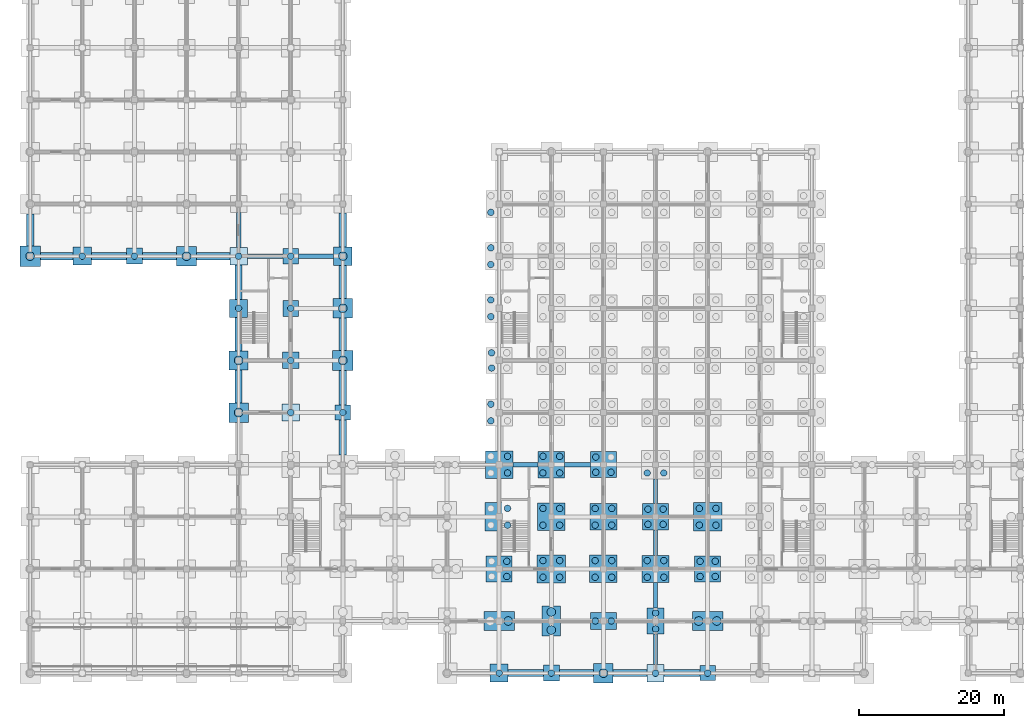
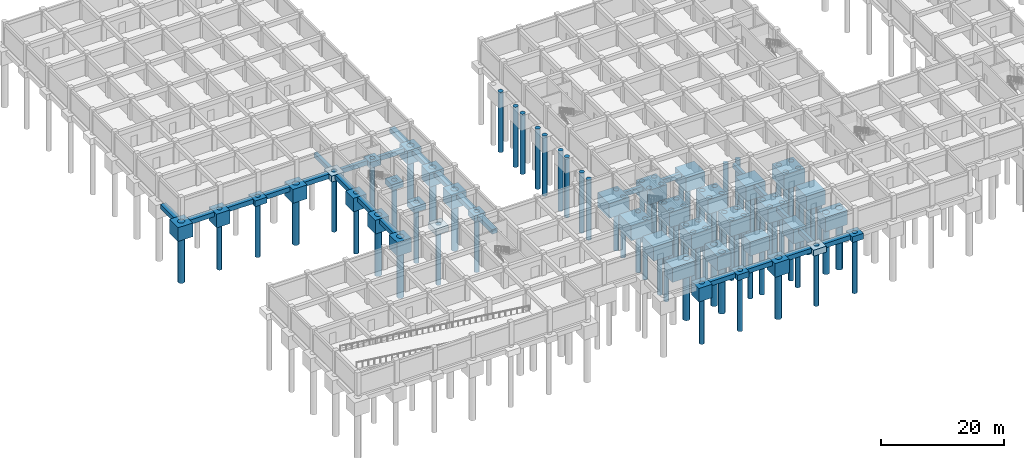
# One storey, part 2 of 25: 86 piles, 65 footings.
"""IFC4 building model written with IfcOpenShell, lengths in metres."""

import ifcopenshell
import ifcopenshell.guid

model = None  # the IFC model being written
_history = None  # IfcOwnerHistory: only IFC2X3 demands one
_inside = {}  # id of a spatial element -> (the spatial element, [elements in it])
_under = {}  # id of a project, library or spatial element -> (it, [spatial elements below it])
_declared = {}  # id of a project -> (the project, [libraries it declares])
_typed = {}  # id of a type object -> (the type object, [elements of that type])
_made_of = {}  # id of a material, layer set ... -> (it, [elements and type objects made of it])


def new_model(schema):
    """Start an empty IFC model of exactly this schema.

    Asked for "IFC4X3", IfcOpenShell would pick the latest addendum, in which some entities
    have other attributes; the version numbers below select the first issue.
    IFC2X3 requires an IfcOwnerHistory on every rooted entity: one is made here for all.
    """
    global model, _history
    if schema == "IFC4X3":
        model = ifcopenshell.file(schema_version=(4, 3, 0, 0))
    else:
        model = ifcopenshell.file(schema=schema)
    _inside.clear()
    _under.clear()
    _declared.clear()
    _typed.clear()
    _made_of.clear()
    _history = None
    if model.schema == "IFC2X3":
        org = make("IfcOrganization", Name="unknown")
        user = make(
            "IfcPersonAndOrganization",
            ThePerson=make("IfcPerson", FamilyName="unknown"),
            TheOrganization=org,
        )
        app = make(
            "IfcApplication",
            ApplicationDeveloper=org,
            Version="unknown",
            ApplicationFullName="unknown",
            ApplicationIdentifier="unknown",
        )
        _history = make(
            "IfcOwnerHistory",
            OwningUser=user,
            OwningApplication=app,
            ChangeAction="ADDED",
            CreationDate=0,
        )
    return model


def make(cls, **values):
    """One entity of the class cls with the attributes given. An attribute that is None is left unset."""
    return model.create_entity(
        cls, **{name: value for name, value in values.items() if value is not None}
    )


def rooted(cls, **values):
    """An entity with a GlobalId (a new one), such as an element, a storey or a relation."""
    return make(cls, GlobalId=ifcopenshell.guid.new(), OwnerHistory=_history, **values)


def si_unit(unit_type, name, prefix=None):
    """IfcSIUnit, for example si_unit("LENGTHUNIT", "METRE", prefix="MILLI")."""
    return make("IfcSIUnit", UnitType=unit_type, Prefix=prefix, Name=name)


def assignment(units):
    """IfcUnitAssignment: the units of a project."""
    return None if units is None else make("IfcUnitAssignment", Units=units)


def point(xyz):
    """IfcCartesianPoint."""
    return None if xyz is None else make("IfcCartesianPoint", Coordinates=xyz)


def direction(xyz):
    """IfcDirection."""
    return None if xyz is None else make("IfcDirection", DirectionRatios=xyz)


def frame(location, z_axis=None, x_axis=None):
    """IfcAxis2Placement3D, a coordinate frame: its origin and axes. An axis left out is left unset."""
    return make(
        "IfcAxis2Placement3D",
        Location=point(location),
        Axis=direction(z_axis),
        RefDirection=direction(x_axis),
    )


def frame_2d(location, x_axis=None):
    """IfcAxis2Placement2D, a coordinate frame in the plane: its origin and x axis."""
    return make(
        "IfcAxis2Placement2D", Location=point(location), RefDirection=direction(x_axis)
    )


def origin():
    """The frame at (0, 0, 0) with its axes left unset."""
    return frame((0.0, 0.0, 0.0))


def origin_2d():
    """The frame at (0, 0) in the plane with its x axis left unset."""
    return frame_2d((0.0, 0.0))


def place(relative_to, where):
    """IfcLocalPlacement: puts the frame where relative to a parent placement (None: the world)."""
    return make(
        "IfcLocalPlacement", PlacementRelTo=relative_to, RelativePlacement=where
    )


def context(
    kind, dimensions, precision=None, world=None, true_north=None, identifier=None
):
    """IfcGeometricRepresentationContext, for example the 3D "Model" context."""
    return make(
        "IfcGeometricRepresentationContext",
        ContextIdentifier=identifier,
        ContextType=kind,
        CoordinateSpaceDimension=dimensions,
        Precision=precision,
        WorldCoordinateSystem=world,
        TrueNorth=true_north,
    )


def subcontext(parent, identifier, kind, view, scale=None):
    """IfcGeometricRepresentationSubContext, for example "Body" below "Model"."""
    return make(
        "IfcGeometricRepresentationSubContext",
        ContextIdentifier=identifier,
        ContextType=kind,
        ParentContext=parent,
        TargetScale=scale,
        TargetView=view,
    )


def project(units=None, contexts=None):
    """IfcProject with its units and contexts."""
    return rooted(
        "IfcProject",
        Name="project",
        RepresentationContexts=contexts,
        UnitsInContext=assignment(units),
    )


def spatial(cls, under=None, at=None, **own):
    """A site, building, storey or space (cls), placed at a placement, below another one or the project."""
    s = rooted(cls, ObjectPlacement=at, **own)
    if under is not None:
        _under.setdefault(under.id(), (under, []))[1].append(s)
    return s


def profile(cls, at=None, kind="AREA", **sizes):
    """A parametric profile (cls). Its sizes go by their IFC names, for example OverallWidth=200.0."""
    return make(cls, ProfileType=kind, Position=at, **sizes)


def rectangle(**sizes):
    """IfcRectangleProfileDef."""
    return profile("IfcRectangleProfileDef", **sizes)


def circle(**sizes):
    """IfcCircleProfileDef."""
    return profile("IfcCircleProfileDef", **sizes)


def extrude(swept, where, along, depth):
    """IfcExtrudedAreaSolid: the profile swept, set in the frame where, extruded along a direction by depth."""
    return make(
        "IfcExtrudedAreaSolid",
        SweptArea=swept,
        Position=where,
        ExtrudedDirection=direction(along),
        Depth=depth,
    )


def shape(context_of_items, identifier, shape_type, items):
    """IfcShapeRepresentation: the items that make up one representation, for example the "Body"."""
    return make(
        "IfcShapeRepresentation",
        ContextOfItems=context_of_items,
        RepresentationIdentifier=identifier,
        RepresentationType=shape_type,
        Items=items,
    )


def material(Name=None, Category=None):
    """IfcMaterial."""
    return make("IfcMaterial", Name=Name, Category=Category)


def material_profile(
    of_material, cross_section, Name=None, Category=None, Priority=None
):
    """IfcMaterialProfile: a cross section and its material."""
    return make(
        "IfcMaterialProfile",
        Name=Name,
        Material=of_material,
        Profile=cross_section,
        Priority=Priority,
        Category=Category,
    )


def profile_set(profiles, Name=None, composite=None):
    """IfcMaterialProfileSet."""
    return make(
        "IfcMaterialProfileSet",
        Name=Name,
        MaterialProfiles=profiles,
        CompositeProfile=composite,
    )


def made_of(thing, what):
    """Note that an element or type object is made of a material, layer set ...; save() writes the relation."""
    if what is not None:
        _made_of.setdefault(what.id(), (what, []))[1].append(thing)
    return thing


def type_object(cls, material=None, **own):
    """A type object (cls), such as IfcWallType, which elements share."""
    return made_of(rooted(cls, **own), material)


def element(
    cls,
    number,
    at=None,
    inside=None,
    cuts=None,
    type_object=None,
    material=None,
    context=None,
    identifier="Body",
    shape_type=None,
    held_by="IfcProductDefinitionShape",
    body=None,
    shapes=None,
    **own,
):
    """One element of the class cls, such as IfcWall. Its Tag is "e" and its number.

    at: its placement. inside: the storey or other place that contains it. cuts: it is an
    opening in that element (IfcRelVoidsElement). A single representation is given by context,
    identifier, shape_type and body (its items); several are given by shapes. held_by: the class
    of the entity that holds the representations. save() writes the other relations.
    """
    e = rooted(cls, Tag="e%d" % number, ObjectPlacement=at, **own)
    if body is not None:
        shapes = [shape(context, identifier, shape_type, body)]
    if shapes is not None:
        e.Representation = make(held_by, Representations=shapes)
    if inside is not None:
        _inside.setdefault(inside.id(), (inside, []))[1].append(e)
    if cuts is not None:
        rooted(
            "IfcRelVoidsElement", RelatingBuildingElement=cuts, RelatedOpeningElement=e
        )
    if type_object is not None:
        _typed.setdefault(type_object.id(), (type_object, []))[1].append(e)
    return made_of(e, material)


def aggregate(whole, parts):
    """IfcRelAggregates: a whole, such as a stair, and the parts it consists of."""
    return rooted("IfcRelAggregates", RelatingObject=whole, RelatedObjects=parts)


def save(model, path):
    """Write the relations noted so far, then the file.

    IfcRelAggregates (storeys below a building ...), IfcRelContainedInSpatialStructure (elements
    in a storey), IfcRelDefinesByType, IfcRelAssociatesMaterial and IfcRelDeclares: one each for
    every whole, place, type object, material and project.
    """
    for whole, parts in _under.values():
        aggregate(whole, parts)
    for where, things in _inside.values():
        rooted(
            "IfcRelContainedInSpatialStructure",
            RelatedElements=things,
            RelatingStructure=where,
        )
    for kind, things in _typed.values():
        rooted("IfcRelDefinesByType", RelatedObjects=things, RelatingType=kind)
    for what, things in _made_of.values():
        rooted("IfcRelAssociatesMaterial", RelatedObjects=things, RelatingMaterial=what)
    for by, libraries in _declared.values():
        rooted("IfcRelDeclares", RelatingContext=by, RelatedDefinitions=libraries)
    model.write(path)


model = new_model("IFC4")

# Units and contexts
model_context = context("Model", 3, precision=1e-05, world=origin(), true_north=direction((0.0, 1.0)))
body_context = subcontext(model_context, "Body", "Model", "MODEL_VIEW")
ifc_project = project(units=[si_unit("LENGTHUNIT", "METRE"), si_unit("AREAUNIT", "SQUARE_METRE"), si_unit("VOLUMEUNIT", "CUBIC_METRE"), si_unit("PLANEANGLEUNIT", "RADIAN"), si_unit("MASSUNIT", "GRAM", prefix="KILO")], contexts=[model_context])

# Site, building, storey
site_placement = place(None, origin())
site = spatial("IfcSite", under=ifc_project, at=site_placement, CompositionType="ELEMENT")
building_placement = place(site_placement, origin())
building = spatial("IfcBuilding", under=site, at=building_placement, Name="Cendaluz Park School", CompositionType="ELEMENT")
storey_placement = place(building_placement, frame((0.0, 0.0, -4.5)))
storey = spatial("IfcBuildingStorey", under=building, at=storey_placement, Name="B1", CompositionType="ELEMENT", Elevation=-4.5)

# Piles
ifc_material = material(Name="Concrete C40/50", Category="concrete")
ifc_material_profile_1 = material_profile(ifc_material, circle(Radius=0.449951171875, at=origin_2d()), Name="BP D900", Category="concrete")
ifc_profile_set_1 = profile_set([ifc_material_profile_1], Name="Concrete C40/50")
pile_type_1 = type_object("IfcPileType", Name="BP-01", PredefinedType="BORED", material=ifc_profile_set_1)
for number, where, z_axis, x_axis, name in (
    (1, (7.199951171875, 57.60009765625, -0.5), (0.0, 0.0, -1.0), (1.0, 0.0, 0.0), "PL-B1-020"),
    (2, (14.39990234375, 57.60009765625, -0.5), (0.0, 0.0, -1.0), (1.0, 0.0, 0.0), "PL-B1-034"),
    (3, (28.800048828125, 50.39990234375, -0.5), (0.0, 0.0, -1.0), (1.0, 0.0, 0.0), "PL-B1-064"),
    (4, (28.800048828125, 57.60009765625, -0.5), (0.0, 0.0, -1.0), (1.0, 0.0, 0.0), "PL-B1-065"),
    (5, (36.0, 36.0, -0.5), (0.0, 0.0, -1.0), (1.0, 0.0, 0.0), "PL-B1-083"),
    (6, (36.0, 43.199951171875, -0.5), (0.0, 0.0, -1.0), (1.0, 0.0, 0.0), "PL-B1-084"),
    (7, (36.0, 50.39990234375, -0.5), (0.0, 0.0, -1.0), (1.0, 0.0, 0.0), "PL-B1-085"),
    (8, (36.0, 57.60009765625, -0.5), (0.0, 0.0, -1.0), (1.0, 0.0, 0.0), "PL-B1-086"),
    (9, (43.199951171875, 36.0, -0.5), (0.0, 0.0, -1.0), (1.0, 0.0, 0.0), "PL-B1-104"),
    (10, (64.800048828125, 0.0, -0.5), (0.0, 0.0, -1.0), (1.0, 0.0, 0.0), "PL-B1-133"),
    (11, (65.85009765625, 13.35009765625, -0.5), (0.0, 0.0, -1.0), (1.0, 0.0, 0.0), "PL-B1-137"),
    (12, (65.85009765625, 15.449951171875, -0.5), (0.0, 0.0, -1.0), (1.0, 0.0, 0.0), "PL-B1-139"),
    (13, (65.949951171875, 20.449951171875, -0.5), (0.0, 0.0, -1.0), (1.0, 0.0, 0.0), "PL-B1-141"),
    (14, (65.949951171875, 22.75, -0.5), (0.0, 0.0, -1.0), (1.0, 0.0, 0.0), "PL-B1-143"),
    (15, (65.949951171875, 27.64990234375, -0.5), (0.0, 0.0, -1.0), (1.0, 0.0, 0.0), "PL-B1-145"),
    (16, (65.949951171875, 29.949951171875, -0.5), (0.0, 0.0, -1.0), (1.0, 0.0, 0.0), "PL-B1-147"),
    (17, (63.64990234375, 34.85009765625, -0.5), (0.0, 0.0, -1.0), (1.0, 0.0, 0.0), "PL-B1-148"),
    (18, (63.64990234375, 37.14990234375, -0.5), (0.0, 0.0, -1.0), (1.0, 0.0, 0.0), "PL-B1-150"),
    (19, (63.75, 42.14990234375, -0.5), (0.0, 0.0, -1.0), (1.0, 0.0, 0.0), "PL-B1-152"),
    (20, (63.75, 44.25, -0.5), (0.0, 0.0, -1.0), (1.0, 0.0, 0.0), "PL-B1-154"),
    (21, (63.64990234375, 49.25, -0.5), (0.0, 0.0, -1.0), (1.0, 0.0, 0.0), "PL-B1-156"),
    (22, (63.64990234375, 51.550048828125, -0.5), (0.0, 0.0, -1.0), (1.0, 0.0, 0.0), "PL-B1-158"),
    (23, (63.64990234375, 56.449951171875, -0.5), (0.0, 0.0, -1.0), (1.0, 0.0, 0.0), "PL-B1-160"),
    (24, (63.64990234375, 58.75, -0.5), (0.0, 0.0, -1.0), (1.0, 0.0, 0.0), "PL-B1-162"),
    (25, (63.64990234375, 63.64990234375, -0.5), (0.0, 0.0, -1.0), (1.0, 0.0, 0.0), "PL-B1-164"),
    (26, (72.0, 0.0, -0.5), (0.0, 0.0, -1.0), (1.0, 0.0, 0.0), "PL-B1-169"),
    (27, (70.85009765625, 13.25, -0.5), (0.0, 0.0, -1.0), (1.0, 0.0, 0.0), "PL-B1-172"),
    (28, (73.14990234375, 13.25, -0.5), (0.0, 0.0, -1.0), (1.0, 0.0, 0.0), "PL-B1-173"),
    (29, (70.85009765625, 15.550048828125, -0.5), (0.0, 0.0, -1.0), (1.0, 0.0, 0.0), "PL-B1-174"),
    (30, (73.14990234375, 15.550048828125, -0.5), (0.0, 0.0, -1.0), (1.0, 0.0, 0.0), "PL-B1-175"),
    (31, (70.85009765625, 20.449951171875, -0.5), (0.0, 0.0, -1.0), (1.0, 0.0, 0.0), "PL-B1-176"),
    (32, (73.14990234375, 20.449951171875, -0.5), (0.0, 0.0, -1.0), (1.0, 0.0, 0.0), "PL-B1-177"),
    (33, (70.85009765625, 22.75, -0.5), (0.0, 0.0, -1.0), (1.0, 0.0, 0.0), "PL-B1-178"),
    (34, (73.14990234375, 22.75, -0.5), (0.0, 0.0, -1.0), (1.0, 0.0, 0.0), "PL-B1-179"),
    (35, (70.85009765625, 27.64990234375, -0.5), (0.0, 0.0, -1.0), (1.0, 0.0, 0.0), "PL-B1-180"),
    (36, (73.14990234375, 27.64990234375, -0.5), (0.0, 0.0, -1.0), (1.0, 0.0, 0.0), "PL-B1-181"),
    (37, (70.85009765625, 29.949951171875, -0.5), (0.0, 0.0, -1.0), (1.0, 0.0, 0.0), "PL-B1-182"),
    (38, (73.14990234375, 29.949951171875, -0.5), (0.0, 0.0, -1.0), (1.0, 0.0, 0.0), "PL-B1-183"),
    (39, (78.10009765625, 7.199951171875, -0.5), (0.0, 0.0, -1.0), (1.0, 0.0, 0.0), "PL-B1-206"),
    (40, (80.300048828125, 7.199951171875, -0.5), (0.0, 0.0, -1.0), (1.0, 0.0, 0.0), "PL-B1-207"),
    (41, (78.050048828125, 13.25, -0.5), (0.0, 0.0, -1.0), (1.0, 0.0, 0.0), "PL-B1-208"),
    (42, (80.35009765625, 13.25, -0.5), (0.0, 0.0, -1.0), (1.0, 0.0, 0.0), "PL-B1-209"),
    (43, (78.050048828125, 15.550048828125, -0.5), (0.0, 0.0, -1.0), (1.0, 0.0, 0.0), "PL-B1-210"),
    (44, (80.35009765625, 15.550048828125, -0.5), (0.0, 0.0, -1.0), (1.0, 0.0, 0.0), "PL-B1-211"),
    (45, (78.050048828125, 20.449951171875, -0.5), (0.0, 0.0, -1.0), (1.0, 0.0, 0.0), "PL-B1-212"),
    (46, (80.35009765625, 20.449951171875, -0.5), (0.0, 0.0, -1.0), (1.0, 0.0, 0.0), "PL-B1-213"),
    (47, (78.050048828125, 22.75, -0.5), (0.0, 0.0, -1.0), (1.0, 0.0, 0.0), "PL-B1-214"),
    (48, (80.35009765625, 22.75, -0.5), (0.0, 0.0, -1.0), (1.0, 0.0, 0.0), "PL-B1-215"),
    (49, (78.14990234375, 27.75, -0.5), (0.0, 0.0, -1.0), (1.0, 0.0, 0.0), "PL-B1-216"),
    (50, (80.25, 27.75, -0.5), (0.0, 0.0, -1.0), (1.0, 0.0, 0.0), "PL-B1-217"),
    (51, (78.14990234375, 29.85009765625, -0.5), (0.0, 0.0, -1.0), (1.0, 0.0, 0.0), "PL-B1-218"),
    (52, (86.39990234375, 0.0, -0.5), (0.0, 0.0, -1.0), (1.0, 0.0, 0.0), "PL-B1-241"),
    (53, (86.39990234375, 6.10009765625, -0.5), (0.0, 0.0, -1.0), (1.0, 0.0, 0.0), "PL-B1-242"),
    (54, (86.39990234375, 8.300048828125, -0.5), (0.0, 0.0, -1.0), (1.0, 0.0, 0.0), "PL-B1-243"),
    (55, (85.25, 13.25, -0.5), (0.0, 0.0, -1.0), (1.0, 0.0, 0.0), "PL-B1-244"),
    (56, (87.550048828125, 13.25, -0.5), (0.0, 0.0, -1.0), (1.0, 0.0, 0.0), "PL-B1-245"),
    (57, (85.25, 15.550048828125, -0.5), (0.0, 0.0, -1.0), (1.0, 0.0, 0.0), "PL-B1-246"),
    (58, (87.550048828125, 15.550048828125, -0.5), (0.0, 0.0, -1.0), (1.0, 0.0, 0.0), "PL-B1-247"),
    (59, (85.35009765625, 20.550048828125, -0.5), (0.0, 0.0, -1.0), (1.0, 0.0, 0.0), "PL-B1-248"),
    (60, (87.449951171875, 20.550048828125, -0.5), (0.0, 0.0, -1.0), (1.0, 0.0, 0.0), "PL-B1-249"),
    (61, (85.35009765625, 22.64990234375, -0.5), (0.0, 0.0, -1.0), (1.0, 0.0, 0.0), "PL-B1-250"),
    (62, (87.449951171875, 22.64990234375, -0.5), (0.0, 0.0, -1.0), (1.0, 0.0, 0.0), "PL-B1-251"),
    (63, (85.25, 27.64990234375, -0.5), (0.0, 0.0, -1.0), (1.0, 0.0, 0.0), "PL-B1-252"),
    (64, (87.550048828125, 27.64990234375, -0.5), (0.0, 0.0, -1.0), (1.0, 0.0, 0.0), "PL-B1-253"),
    (65, (93.60009765625, 0.0, -0.5), (0.0, 0.0, -1.0), (1.0, 0.0, 0.0), "PL-B1-277"),
    (66, (92.550048828125, 13.35009765625, -0.5), (0.0, 0.0, -1.0), (1.0, 0.0, 0.0), "PL-B1-280"),
    (67, (94.64990234375, 13.35009765625, -0.5), (0.0, 0.0, -1.0), (1.0, 0.0, 0.0), "PL-B1-281"),
    (68, (92.550048828125, 15.449951171875, -0.5), (0.0, 0.0, -1.0), (1.0, 0.0, 0.0), "PL-B1-282"),
    (69, (94.64990234375, 15.449951171875, -0.5), (0.0, 0.0, -1.0), (1.0, 0.0, 0.0), "PL-B1-283"),
    (70, (92.449951171875, 20.449951171875, -0.5), (0.0, 0.0, -1.0), (1.0, 0.0, 0.0), "PL-B1-284"),
    (71, (94.75, 20.449951171875, -0.5), (0.0, 0.0, -1.0), (1.0, 0.0, 0.0), "PL-B1-285"),
    (72, (92.449951171875, 22.75, -0.5), (0.0, 0.0, -1.0), (1.0, 0.0, 0.0), "PL-B1-286"),
    (73, (94.75, 22.75, -0.5), (0.0, 0.0, -1.0), (1.0, 0.0, 0.0), "PL-B1-287"),
):
    element("IfcPile", number, at=place(storey_placement, frame(where, z_axis=z_axis, x_axis=x_axis)), inside=storey, type_object=pile_type_1, Name=name, PredefinedType="BORED", context=body_context, shape_type="SweptSolid", body=[
        extrude(circle(Radius=0.449951171875, at=origin_2d()), origin(), (0.0, 0.0, 1.0), 12.0),
    ])
ifc_material_profile_2 = material_profile(ifc_material, circle(Radius=0.60009765625, at=origin_2d()), Name="BP D1200", Category="concrete")
ifc_profile_set_2 = profile_set([ifc_material_profile_2], Name="Concrete C40/50")
pile_type_2 = type_object("IfcPileType", Name="BP-02", PredefinedType="BORED", material=ifc_profile_set_2)
for number, where, z_axis, x_axis, name in (
    (74, (0.0, 57.60009765625, -0.5), (0.0, 0.0, -1.0), (1.0, 0.0, 0.0), "PL-B1-006"),
    (75, (21.60009765625, 57.60009765625, -0.5), (0.0, 0.0, -1.0), (1.0, 0.0, 0.0), "PL-B1-048"),
    (76, (28.800048828125, 36.0, -0.5), (0.0, 0.0, -1.0), (1.0, 0.0, 0.0), "PL-B1-062"),
    (77, (28.800048828125, 43.199951171875, -0.5), (0.0, 0.0, -1.0), (1.0, 0.0, 0.0), "PL-B1-063"),
    (78, (43.199951171875, 43.199951171875, -0.5), (0.0, 0.0, -1.0), (1.0, 0.0, 0.0), "PL-B1-105"),
    (79, (43.199951171875, 50.39990234375, -0.5), (0.0, 0.0, -1.0), (1.0, 0.0, 0.0), "PL-B1-106"),
    (80, (43.199951171875, 57.60009765625, -0.5), (0.0, 0.0, -1.0), (1.0, 0.0, 0.0), "PL-B1-107"),
    (81, (66.050048828125, 7.199951171875, -0.5), (0.0, 0.0, -1.0), (1.0, 0.0, 0.0), "PL-B1-135"),
    (82, (72.0, 5.949951171875, -0.5), (0.0, 0.0, -1.0), (1.0, 0.0, 0.0), "PL-B1-170"),
    (83, (72.0, 8.449951171875, -0.5), (0.0, 0.0, -1.0), (1.0, 0.0, 0.0), "PL-B1-171"),
    (84, (79.199951171875, 0.0, -0.5), (0.0, 0.0, -1.0), (1.0, 0.0, 0.0), "PL-B1-205"),
    (85, (92.35009765625, 7.199951171875, -0.5), (0.0, 0.0, -1.0), (1.0, 0.0, 0.0), "PL-B1-278"),
    (86, (94.85009765625, 7.199951171875, -0.5), (0.0, 0.0, -1.0), (1.0, 0.0, 0.0), "PL-B1-279"),
):
    element("IfcPile", number, at=place(storey_placement, frame(where, z_axis=z_axis, x_axis=x_axis)), inside=storey, type_object=pile_type_2, Name=name, PredefinedType="BORED", context=body_context, shape_type="SweptSolid", body=[
        extrude(circle(Radius=0.60009765625, at=origin_2d()), origin(), (0.0, 0.0, 1.0), 12.0),
    ])

# Footings
footing_type_1 = type_object("IfcFootingType", Name="FB-X345", PredefinedType="FOOTING_BEAM", material=ifc_material)
footing_1_placement = place(storey_placement, frame((68.425048828125, 28.800048828125, -1.39990234375), z_axis=(0.0, 0.0, 1.0), x_axis=(1.0, 0.0, 0.0)))
element("IfcFooting", 87, at=footing_1_placement, inside=storey, type_object=footing_type_1, Name="FT-B1-347", PredefinedType="FOOTING_BEAM", context=body_context, shape_type="SweptSolid", body=[
    extrude(rectangle(XDim=3.449951171875, YDim=0.60009765625, at=origin_2d()), origin(), (0.0, 0.0, 1.0), 0.89990234375),
])
footing_type_2 = type_object("IfcFootingType", Name="FB-X355", PredefinedType="FOOTING_BEAM", material=ifc_material)
footing_2_placement = place(storey_placement, frame((75.625, 28.800048828125, -1.39990234375), z_axis=(0.0, 0.0, 1.0), x_axis=(1.0, 0.0, 0.0)))
element("IfcFooting", 88, at=footing_2_placement, inside=storey, type_object=footing_type_2, Name="FT-B1-351", PredefinedType="FOOTING_BEAM", context=body_context, shape_type="SweptSolid", body=[
    extrude(rectangle(XDim=3.550048828125, YDim=0.60009765625, at=origin_2d()), origin(), (0.0, 0.0, 1.0), 0.89990234375),
])
footing_type_3 = type_object("IfcFootingType", Name="FB-X485", PredefinedType="FOOTING_BEAM", material=ifc_material)
footing_3_placement = place(storey_placement, frame((39.47509765625, 57.60009765625, -1.39990234375), z_axis=(0.0, 0.0, 1.0), x_axis=(1.0, 0.0, 0.0)))
element("IfcFooting", 89, at=footing_3_placement, inside=storey, type_object=footing_type_3, Name="FT-B1-337", PredefinedType="FOOTING_BEAM", context=body_context, shape_type="SweptSolid", body=[
    extrude(rectangle(XDim=4.85009765625, YDim=0.60009765625, at=origin_2d()), origin(), (0.0, 0.0, 1.0), 0.89990234375),
])
footing_type_4 = type_object("IfcFootingType", Name="FB-X495", PredefinedType="FOOTING_BEAM", material=ifc_material)
footing_4_placement = place(storey_placement, frame((32.47509765625, 57.60009765625, -1.39990234375), z_axis=(0.0, 0.0, 1.0), x_axis=(1.0, 0.0, 0.0)))
element("IfcFooting", 90, at=footing_4_placement, inside=storey, type_object=footing_type_4, Name="FT-B1-332", PredefinedType="FOOTING_BEAM", context=body_context, shape_type="SweptSolid", body=[
    extrude(rectangle(XDim=4.949951171875, YDim=0.60009765625, at=origin_2d()), origin(), (0.0, 0.0, 1.0), 0.89990234375),
])
footing_type_5 = type_object("IfcFootingType", Name="FB-Y345", PredefinedType="FOOTING_BEAM", material=ifc_material)
footing_5_placement = place(storey_placement, frame((86.39990234375, 25.125, -1.39990234375), z_axis=(0.0, 0.0, 1.0), x_axis=(1.0, 0.0, 0.0)))
element("IfcFooting", 91, at=footing_5_placement, inside=storey, type_object=footing_type_5, Name="FT-B1-460", PredefinedType="FOOTING_BEAM", context=body_context, shape_type="SweptSolid", body=[
    extrude(rectangle(XDim=0.60009765625, YDim=3.449951171875, at=origin_2d()), origin(), (0.0, 0.0, 1.0), 0.89990234375),
])
footing_type_6 = type_object("IfcFootingType", Name="FB-Y355", PredefinedType="FOOTING_BEAM", material=ifc_material)
for number, where, z_axis, x_axis, name in (
    (92, (86.39990234375, 10.77490234375, -1.39990234375), (0.0, 0.0, 1.0), (1.0, 0.0, 0.0), "FT-B1-458"),
    (93, (86.39990234375, 18.02490234375, -1.39990234375), (0.0, 0.0, 1.0), (1.0, 0.0, 0.0), "FT-B1-459"),
):
    element("IfcFooting", number, at=place(storey_placement, frame(where, z_axis=z_axis, x_axis=x_axis)), inside=storey, type_object=footing_type_6, Name=name, PredefinedType="FOOTING_BEAM", context=body_context, shape_type="SweptSolid", body=[
        extrude(rectangle(XDim=0.60009765625, YDim=3.550048828125, at=origin_2d()), origin(), (0.0, 0.0, 1.0), 0.89990234375),
    ])
footing_type_7 = type_object("IfcFootingType", Name="FB-Y420", PredefinedType="FOOTING_BEAM", material=ifc_material)
footing_6_placement = place(storey_placement, frame((86.39990234375, 3.300048828125, -1.39990234375), z_axis=(0.0, 0.0, 1.0), x_axis=(1.0, 0.0, 0.0)))
element("IfcFooting", 94, at=footing_6_placement, inside=storey, type_object=footing_type_7, Name="FT-B1-457", PredefinedType="FOOTING_BEAM", context=body_context, shape_type="SweptSolid", body=[
    extrude(rectangle(XDim=0.60009765625, YDim=4.199951171875, at=origin_2d()), origin(), (0.0, 0.0, 1.0), 0.89990234375),
])
footing_type_8 = type_object("IfcFootingType", Name="FB-Y485", PredefinedType="FOOTING_BEAM", material=ifc_material)
footing_7_placement = place(storey_placement, frame((28.800048828125, 61.22509765625, -1.39990234375), z_axis=(0.0, 0.0, 1.0), x_axis=(1.0, 0.0, 0.0)))
element("IfcFooting", 95, at=footing_7_placement, inside=storey, type_object=footing_type_8, Name="FT-B1-426", PredefinedType="FOOTING_BEAM", context=body_context, shape_type="SweptSolid", body=[
    extrude(rectangle(XDim=0.60009765625, YDim=4.85009765625, at=origin_2d()), origin(), (0.0, 0.0, 1.0), 0.89990234375),
])
footing_type_9 = type_object("IfcFootingType", Name="PC-01", PredefinedType="PILE_CAP", material=ifc_material)
for number, where, z_axis, x_axis, name in (
    (96, (64.800048828125, 21.60009765625, -3.4501953125), (0.0, 0.0, 1.0), (1.0, 0.0, 0.0), "FT-B1-120"),
    (97, (72.0, 14.39990234375, -3.4501953125), (0.0, 0.0, 1.0), (1.0, 0.0, 0.0), "FT-B1-130"),
    (98, (93.60009765625, 21.60009765625, -3.4501953125), (0.0, 0.0, 1.0), (1.0, 0.0, 0.0), "FT-B1-164"),
):
    element("IfcFooting", number, at=place(storey_placement, frame(where, z_axis=z_axis, x_axis=x_axis)), inside=storey, type_object=footing_type_9, Name=name, PredefinedType="PILE_CAP", context=body_context, shape_type="SweptSolid", body=[
        extrude(rectangle(XDim=3.89990234375, YDim=3.89990234375, at=origin_2d()), origin(), (0.0, 0.0, 1.0), 2.949951171875),
    ])
footing_type_10 = type_object("IfcFootingType", Name="PC-02", PredefinedType="PILE_CAP", material=ifc_material)
for number, where, z_axis, x_axis, name in (
    (99, (64.800048828125, 28.800048828125, -3.39990234375), (0.0, 0.0, 1.0), (1.0, 0.0, 0.0), "FT-B1-121"),
    (100, (72.0, 21.60009765625, -3.39990234375), (0.0, 0.0, 1.0), (1.0, 0.0, 0.0), "FT-B1-131"),
    (101, (79.199951171875, 14.39990234375, -3.39990234375), (0.0, 0.0, 1.0), (1.0, 0.0, 0.0), "FT-B1-141"),
):
    element("IfcFooting", number, at=place(storey_placement, frame(where, z_axis=z_axis, x_axis=x_axis)), inside=storey, type_object=footing_type_10, Name=name, PredefinedType="PILE_CAP", context=body_context, shape_type="SweptSolid", body=[
        extrude(rectangle(XDim=3.800048828125, YDim=3.800048828125, at=origin_2d()), origin(), (0.0, 0.0, 1.0), 2.89990234375),
    ])
footing_type_11 = type_object("IfcFootingType", Name="PC-03", PredefinedType="PILE_CAP", material=ifc_material)
for number, where, z_axis, x_axis, name in (
    (102, (72.0, 28.800048828125, -3.35009765625), (0.0, 0.0, 1.0), (1.0, 0.0, 0.0), "FT-B1-132"),
    (103, (79.199951171875, 21.60009765625, -3.35009765625), (0.0, 0.0, 1.0), (1.0, 0.0, 0.0), "FT-B1-142"),
    (104, (86.39990234375, 14.39990234375, -3.35009765625), (0.0, 0.0, 1.0), (1.0, 0.0, 0.0), "FT-B1-152"),
):
    element("IfcFooting", number, at=place(storey_placement, frame(where, z_axis=z_axis, x_axis=x_axis)), inside=storey, type_object=footing_type_11, Name=name, PredefinedType="PILE_CAP", context=body_context, shape_type="SweptSolid", body=[
        extrude(rectangle(XDim=3.699951171875, YDim=3.699951171875, at=origin_2d()), origin(), (0.0, 0.0, 1.0), 2.85009765625),
    ])
footing_type_12 = type_object("IfcFootingType", Name="PC-04", PredefinedType="PILE_CAP", material=ifc_material)
for number, where, z_axis, x_axis, name in (
    (105, (64.800048828125, 14.39990234375, -3.2998046875), (0.0, 0.0, 1.0), (1.0, 0.0, 0.0), "FT-B1-119"),
    (106, (79.199951171875, 28.800048828125, -3.2998046875), (0.0, 0.0, 1.0), (1.0, 0.0, 0.0), "FT-B1-143"),
    (107, (86.39990234375, 21.60009765625, -3.2998046875), (0.0, 0.0, 1.0), (1.0, 0.0, 0.0), "FT-B1-153"),
    (108, (93.60009765625, 14.39990234375, -3.2998046875), (0.0, 0.0, 1.0), (1.0, 0.0, 0.0), "FT-B1-163"),
):
    element("IfcFooting", number, at=place(storey_placement, frame(where, z_axis=z_axis, x_axis=x_axis)), inside=storey, type_object=footing_type_12, Name=name, PredefinedType="PILE_CAP", context=body_context, shape_type="SweptSolid", body=[
        extrude(rectangle(XDim=3.60009765625, YDim=3.60009765625, at=origin_2d()), origin(), (0.0, 0.0, 1.0), 2.800048828125),
    ])
footing_type_13 = type_object("IfcFootingType", Name="PC-05", PredefinedType="PILE_CAP", material=ifc_material)
footing_8_placement = place(storey_placement, frame((79.199951171875, 7.199951171875, -3.2998046875), z_axis=(0.0, 0.0, 1.0), x_axis=(1.0, 0.0, 0.0)))
element("IfcFooting", 109, at=footing_8_placement, inside=storey, type_object=footing_type_13, Name="FT-B1-140", PredefinedType="PILE_CAP", context=body_context, shape_type="SweptSolid", body=[
    extrude(rectangle(XDim=3.60009765625, YDim=2.39990234375, at=origin_2d()), origin(), (0.0, 0.0, 1.0), 2.800048828125),
])
footing_type_14 = type_object("IfcFootingType", Name="PC-06", PredefinedType="PILE_CAP", material=ifc_material)
footing_9_placement = place(storey_placement, frame((86.39990234375, 7.199951171875, -3.2998046875), z_axis=(0.0, 0.0, 1.0), x_axis=(1.0, 0.0, 0.0)))
element("IfcFooting", 110, at=footing_9_placement, inside=storey, type_object=footing_type_14, Name="FT-B1-151", PredefinedType="PILE_CAP", context=body_context, shape_type="SweptSolid", body=[
    extrude(rectangle(XDim=2.39990234375, YDim=3.60009765625, at=origin_2d()), origin(), (0.0, 0.0, 1.0), 2.800048828125),
])
footing_type_15 = type_object("IfcFootingType", Name="PC-07", PredefinedType="PILE_CAP", material=ifc_material)
for number, where, z_axis, x_axis, name in (
    (111, (64.800048828125, 7.199951171875, -3.35009765625), (0.0, 0.0, 1.0), (1.0, 0.0, 0.0), "FT-B1-118"),
    (112, (93.60009765625, 7.199951171875, -3.35009765625), (0.0, 0.0, 1.0), (1.0, 0.0, 0.0), "FT-B1-162"),
):
    element("IfcFooting", number, at=place(storey_placement, frame(where, z_axis=z_axis, x_axis=x_axis)), inside=storey, type_object=footing_type_15, Name=name, PredefinedType="PILE_CAP", context=body_context, shape_type="SweptSolid", body=[
        extrude(rectangle(XDim=4.199951171875, YDim=2.60009765625, at=origin_2d()), origin(), (0.0, 0.0, 1.0), 2.85009765625),
    ])
footing_type_16 = type_object("IfcFootingType", Name="PC-08", PredefinedType="PILE_CAP", material=ifc_material)
footing_10_placement = place(storey_placement, frame((72.0, 7.199951171875, -3.35009765625), z_axis=(0.0, 0.0, 1.0), x_axis=(1.0, 0.0, 0.0)))
element("IfcFooting", 113, at=footing_10_placement, inside=storey, type_object=footing_type_16, Name="FT-B1-129", PredefinedType="PILE_CAP", context=body_context, shape_type="SweptSolid", body=[
    extrude(rectangle(XDim=2.60009765625, YDim=4.199951171875, at=origin_2d()), origin(), (0.0, 0.0, 1.0), 2.85009765625),
])
footing_type_17 = type_object("IfcFootingType", Name="PC-09", PredefinedType="PILE_CAP", material=ifc_material)
for number, where, z_axis, x_axis, name in (
    (114, (0.0, 57.60009765625, -3.25), (0.0, 0.0, 1.0), (1.0, 0.0, 0.0), "FT-B1-006"),
    (115, (43.199951171875, 43.199951171875, -3.25), (0.0, 0.0, 1.0), (1.0, 0.0, 0.0), "FT-B1-097"),
):
    element("IfcFooting", number, at=place(storey_placement, frame(where, z_axis=z_axis, x_axis=x_axis)), inside=storey, type_object=footing_type_17, Name=name, PredefinedType="PILE_CAP", context=body_context, shape_type="SweptSolid", body=[
        extrude(rectangle(XDim=2.800048828125, YDim=2.800048828125, at=origin_2d()), origin(), (0.0, 0.0, 1.0), 2.75),
    ])
footing_type_18 = type_object("IfcFootingType", Name="PC-10", PredefinedType="PILE_CAP", material=ifc_material)
for number, where, z_axis, x_axis, name in (
    (116, (21.60009765625, 57.60009765625, -3.25), (0.0, 0.0, 1.0), (1.0, 0.0, 0.0), "FT-B1-048"),
    (117, (28.800048828125, 36.0, -3.25), (0.0, 0.0, 1.0), (1.0, 0.0, 0.0), "FT-B1-062"),
    (118, (43.199951171875, 50.39990234375, -3.25), (0.0, 0.0, 1.0), (1.0, 0.0, 0.0), "FT-B1-098"),
    (119, (79.199951171875, 0.0, -3.25), (0.0, 0.0, 1.0), (1.0, 0.0, 0.0), "FT-B1-139"),
):
    element("IfcFooting", number, at=place(storey_placement, frame(where, z_axis=z_axis, x_axis=x_axis)), inside=storey, type_object=footing_type_18, Name=name, PredefinedType="PILE_CAP", context=body_context, shape_type="SweptSolid", body=[
        extrude(rectangle(XDim=2.699951171875, YDim=2.699951171875, at=origin_2d()), origin(), (0.0, 0.0, 1.0), 2.75),
    ])
footing_type_19 = type_object("IfcFootingType", Name="PC-11", PredefinedType="PILE_CAP", material=ifc_material)
for number, where, z_axis, x_axis, name in (
    (120, (28.800048828125, 43.199951171875, -3.2001953125), (0.0, 0.0, 1.0), (1.0, 0.0, 0.0), "FT-B1-063"),
    (121, (43.199951171875, 57.60009765625, -3.2001953125), (0.0, 0.0, 1.0), (1.0, 0.0, 0.0), "FT-B1-099"),
):
    element("IfcFooting", number, at=place(storey_placement, frame(where, z_axis=z_axis, x_axis=x_axis)), inside=storey, type_object=footing_type_19, Name=name, PredefinedType="PILE_CAP", context=body_context, shape_type="SweptSolid", body=[
        extrude(rectangle(XDim=2.60009765625, YDim=2.60009765625, at=origin_2d()), origin(), (0.0, 0.0, 1.0), 2.699951171875),
    ])
footing_type_20 = type_object("IfcFootingType", Name="PC-12", PredefinedType="PILE_CAP", material=ifc_material)
for number, where, z_axis, x_axis, name in (
    (122, (7.199951171875, 57.60009765625, -3.2001953125), (0.0, 0.0, 1.0), (1.0, 0.0, 0.0), "FT-B1-020"),
    (123, (28.800048828125, 50.39990234375, -3.2001953125), (0.0, 0.0, 1.0), (1.0, 0.0, 0.0), "FT-B1-064"),
    (124, (64.800048828125, 0.0, -3.2001953125), (0.0, 0.0, 1.0), (1.0, 0.0, 0.0), "FT-B1-117"),
):
    element("IfcFooting", number, at=place(storey_placement, frame(where, z_axis=z_axis, x_axis=x_axis)), inside=storey, type_object=footing_type_20, Name=name, PredefinedType="PILE_CAP", context=body_context, shape_type="SweptSolid", body=[
        extrude(rectangle(XDim=2.5, YDim=2.5, at=origin_2d()), origin(), (0.0, 0.0, 1.0), 2.699951171875),
    ])
footing_type_21 = type_object("IfcFootingType", Name="PC-13", PredefinedType="PILE_CAP", material=ifc_material)
for number, where, z_axis, x_axis, name in (
    (125, (28.800048828125, 57.60009765625, -1.7001953125), (0.0, 0.0, 1.0), (1.0, 0.0, 0.0), "FT-B1-065"),
    (126, (36.0, 36.0, -1.7001953125), (0.0, 0.0, 1.0), (1.0, 0.0, 0.0), "FT-B1-079"),
    (127, (86.39990234375, 0.0, -1.7001953125), (0.0, 0.0, 1.0), (1.0, 0.0, 0.0), "FT-B1-150"),
):
    element("IfcFooting", number, at=place(storey_placement, frame(where, z_axis=z_axis, x_axis=x_axis)), inside=storey, type_object=footing_type_21, Name=name, PredefinedType="PILE_CAP", context=body_context, shape_type="SweptSolid", body=[
        extrude(rectangle(XDim=2.39990234375, YDim=2.39990234375, at=origin_2d()), origin(), (0.0, 0.0, 1.0), 1.199951171875),
    ])
footing_type_22 = type_object("IfcFootingType", Name="PC-14", PredefinedType="PILE_CAP", material=ifc_material)
footing_11_placement = place(storey_placement, frame((36.0, 43.199951171875, -1.7001953125), z_axis=(0.0, 0.0, 1.0), x_axis=(1.0, 0.0, 0.0)))
element("IfcFooting", 128, at=footing_11_placement, inside=storey, type_object=footing_type_22, Name="FT-B1-080", PredefinedType="PILE_CAP", context=body_context, shape_type="SweptSolid", body=[
    extrude(rectangle(XDim=2.300048828125, YDim=2.300048828125, at=origin_2d()), origin(), (0.0, 0.0, 1.0), 1.199951171875),
])
footing_type_23 = type_object("IfcFootingType", Name="PC-15", PredefinedType="PILE_CAP", material=ifc_material)
for number, where, z_axis, x_axis, name in (
    (129, (14.39990234375, 57.60009765625, -1.64990234375), (0.0, 0.0, 1.0), (1.0, 0.0, 0.0), "FT-B1-034"),
    (130, (36.0, 50.39990234375, -1.64990234375), (0.0, 0.0, 1.0), (1.0, 0.0, 0.0), "FT-B1-081"),
    (131, (72.0, 0.0, -1.64990234375), (0.0, 0.0, 1.0), (1.0, 0.0, 0.0), "FT-B1-128"),
):
    element("IfcFooting", number, at=place(storey_placement, frame(where, z_axis=z_axis, x_axis=x_axis)), inside=storey, type_object=footing_type_23, Name=name, PredefinedType="PILE_CAP", context=body_context, shape_type="SweptSolid", body=[
        extrude(rectangle(XDim=2.199951171875, YDim=2.199951171875, at=origin_2d()), origin(), (0.0, 0.0, 1.0), 1.14990234375),
    ])
footing_type_24 = type_object("IfcFootingType", Name="PC-16", PredefinedType="PILE_CAP", material=ifc_material)
for number, where, z_axis, x_axis, name in (
    (132, (36.0, 57.60009765625, -1.64990234375), (0.0, 0.0, 1.0), (1.0, 0.0, 0.0), "FT-B1-082"),
    (133, (43.199951171875, 36.0, -1.64990234375), (0.0, 0.0, 1.0), (1.0, 0.0, 0.0), "FT-B1-096"),
    (134, (93.60009765625, 0.0, -1.64990234375), (0.0, 0.0, 1.0), (1.0, 0.0, 0.0), "FT-B1-161"),
):
    element("IfcFooting", number, at=place(storey_placement, frame(where, z_axis=z_axis, x_axis=x_axis)), inside=storey, type_object=footing_type_24, Name=name, PredefinedType="PILE_CAP", context=body_context, shape_type="SweptSolid", body=[
        extrude(rectangle(XDim=2.10009765625, YDim=2.10009765625, at=origin_2d()), origin(), (0.0, 0.0, 1.0), 1.14990234375),
    ])
footing_type_25 = type_object("IfcFootingType", Name="SF-X455", PredefinedType="STRIP_FOOTING", material=ifc_material)
footing_12_placement = place(storey_placement, frame((3.675048828125, 57.60009765625, -1.39990234375), z_axis=(0.0, 0.0, 1.0), x_axis=(1.0, 0.0, 0.0)))
element("IfcFooting", 135, at=footing_12_placement, inside=storey, type_object=footing_type_25, Name="FT-B1-312", PredefinedType="STRIP_FOOTING", context=body_context, shape_type="SweptSolid", body=[
    extrude(rectangle(XDim=4.550048828125, YDim=1.0, at=origin_2d()), origin(), (0.0, 0.0, 1.0), 0.89990234375),
])
footing_type_26 = type_object("IfcFootingType", Name="SF-X465", PredefinedType="STRIP_FOOTING", material=ifc_material)
for number, where, z_axis, x_axis, name in (
    (136, (25.27490234375, 57.60009765625, -1.39990234375), (0.0, 0.0, 1.0), (1.0, 0.0, 0.0), "FT-B1-327"),
    (137, (82.875, 0.0, -1.39990234375), (0.0, 0.0, 1.0), (1.0, 0.0, 0.0), "FT-B1-354"),
):
    element("IfcFooting", number, at=place(storey_placement, frame(where, z_axis=z_axis, x_axis=x_axis)), inside=storey, type_object=footing_type_26, Name=name, PredefinedType="STRIP_FOOTING", context=body_context, shape_type="SweptSolid", body=[
        extrude(rectangle(XDim=4.64990234375, YDim=1.0, at=origin_2d()), origin(), (0.0, 0.0, 1.0), 0.89990234375),
    ])
footing_type_27 = type_object("IfcFootingType", Name="SF-X475", PredefinedType="STRIP_FOOTING", material=ifc_material)
for number, where, z_axis, x_axis, name in (
    (138, (17.875, 57.60009765625, -1.39990234375), (0.0, 0.0, 1.0), (1.0, 0.0, 0.0), "FT-B1-322"),
    (139, (75.47509765625, 0.0, -1.39990234375), (0.0, 0.0, 1.0), (1.0, 0.0, 0.0), "FT-B1-350"),
):
    element("IfcFooting", number, at=place(storey_placement, frame(where, z_axis=z_axis, x_axis=x_axis)), inside=storey, type_object=footing_type_27, Name=name, PredefinedType="STRIP_FOOTING", context=body_context, shape_type="SweptSolid", body=[
        extrude(rectangle(XDim=4.75, YDim=1.0, at=origin_2d()), origin(), (0.0, 0.0, 1.0), 0.89990234375),
    ])
footing_type_28 = type_object("IfcFootingType", Name="SF-X485", PredefinedType="STRIP_FOOTING", material=ifc_material)
for number, where, z_axis, x_axis, name in (
    (140, (10.875, 57.60009765625, -1.39990234375), (0.0, 0.0, 1.0), (1.0, 0.0, 0.0), "FT-B1-317"),
    (141, (68.47509765625, 0.0, -1.39990234375), (0.0, 0.0, 1.0), (1.0, 0.0, 0.0), "FT-B1-346"),
):
    element("IfcFooting", number, at=place(storey_placement, frame(where, z_axis=z_axis, x_axis=x_axis)), inside=storey, type_object=footing_type_28, Name=name, PredefinedType="STRIP_FOOTING", context=body_context, shape_type="SweptSolid", body=[
        extrude(rectangle(XDim=4.85009765625, YDim=1.0, at=origin_2d()), origin(), (0.0, 0.0, 1.0), 0.89990234375),
    ])
footing_type_29 = type_object("IfcFootingType", Name="SF-X495", PredefinedType="STRIP_FOOTING", material=ifc_material)
footing_13_placement = place(storey_placement, frame((90.074951171875, 0.0, -1.39990234375), z_axis=(0.0, 0.0, 1.0), x_axis=(1.0, 0.0, 0.0)))
element("IfcFooting", 142, at=footing_13_placement, inside=storey, type_object=footing_type_29, Name="FT-B1-358", PredefinedType="STRIP_FOOTING", context=body_context, shape_type="SweptSolid", body=[
    extrude(rectangle(XDim=4.949951171875, YDim=1.0, at=origin_2d()), origin(), (0.0, 0.0, 1.0), 0.89990234375),
])
footing_type_30 = type_object("IfcFootingType", Name="SF-Y445", PredefinedType="STRIP_FOOTING", material=ifc_material)
for number, where, z_axis, x_axis, name in (
    (143, (0.0, 61.22509765625, -1.39990234375), (0.0, 0.0, 1.0), (1.0, 0.0, 0.0), "FT-B1-410"),
    (144, (43.199951171875, 46.824951171875, -1.39990234375), (0.0, 0.0, 1.0), (1.0, 0.0, 0.0), "FT-B1-437"),
):
    element("IfcFooting", number, at=place(storey_placement, frame(where, z_axis=z_axis, x_axis=x_axis)), inside=storey, type_object=footing_type_30, Name=name, PredefinedType="STRIP_FOOTING", context=body_context, shape_type="SweptSolid", body=[
        extrude(rectangle(XDim=1.0, YDim=4.449951171875, at=origin_2d()), origin(), (0.0, 0.0, 1.0), 0.89990234375),
    ])
footing_type_31 = type_object("IfcFootingType", Name="SF-Y455", PredefinedType="STRIP_FOOTING", material=ifc_material)
for number, where, z_axis, x_axis, name in (
    (145, (28.800048828125, 39.625, -1.39990234375), (0.0, 0.0, 1.0), (1.0, 0.0, 0.0), "FT-B1-423"),
    (146, (43.199951171875, 54.02490234375, -1.39990234375), (0.0, 0.0, 1.0), (1.0, 0.0, 0.0), "FT-B1-438"),
):
    element("IfcFooting", number, at=place(storey_placement, frame(where, z_axis=z_axis, x_axis=x_axis)), inside=storey, type_object=footing_type_31, Name=name, PredefinedType="STRIP_FOOTING", context=body_context, shape_type="SweptSolid", body=[
        extrude(rectangle(XDim=1.0, YDim=4.550048828125, at=origin_2d()), origin(), (0.0, 0.0, 1.0), 0.89990234375),
    ])
footing_type_32 = type_object("IfcFootingType", Name="SF-Y465", PredefinedType="STRIP_FOOTING", material=ifc_material)
for number, where, z_axis, x_axis, name in (
    (147, (28.800048828125, 46.824951171875, -1.39990234375), (0.0, 0.0, 1.0), (1.0, 0.0, 0.0), "FT-B1-424"),
    (148, (43.199951171875, 61.22509765625, -1.39990234375), (0.0, 0.0, 1.0), (1.0, 0.0, 0.0), "FT-B1-439"),
):
    element("IfcFooting", number, at=place(storey_placement, frame(where, z_axis=z_axis, x_axis=x_axis)), inside=storey, type_object=footing_type_32, Name=name, PredefinedType="STRIP_FOOTING", context=body_context, shape_type="SweptSolid", body=[
        extrude(rectangle(XDim=1.0, YDim=4.64990234375, at=origin_2d()), origin(), (0.0, 0.0, 1.0), 0.89990234375),
    ])
footing_type_33 = type_object("IfcFootingType", Name="SF-Y475", PredefinedType="STRIP_FOOTING", material=ifc_material)
for number, where, z_axis, x_axis, name in (
    (149, (28.800048828125, 54.02490234375, -1.39990234375), (0.0, 0.0, 1.0), (1.0, 0.0, 0.0), "FT-B1-425"),
    (150, (43.199951171875, 39.425048828125, -1.39990234375), (0.0, 0.0, 1.0), (1.0, 0.0, 0.0), "FT-B1-436"),
):
    element("IfcFooting", number, at=place(storey_placement, frame(where, z_axis=z_axis, x_axis=x_axis)), inside=storey, type_object=footing_type_33, Name=name, PredefinedType="STRIP_FOOTING", context=body_context, shape_type="SweptSolid", body=[
        extrude(rectangle(XDim=1.0, YDim=4.75, at=origin_2d()), origin(), (0.0, 0.0, 1.0), 0.89990234375),
    ])
footing_type_34 = type_object("IfcFootingType", Name="SF-Y485", PredefinedType="STRIP_FOOTING", material=ifc_material)
footing_14_placement = place(storey_placement, frame((43.199951171875, 32.52490234375, -1.39990234375), z_axis=(0.0, 0.0, 1.0), x_axis=(1.0, 0.0, 0.0)))
element("IfcFooting", 151, at=footing_14_placement, inside=storey, type_object=footing_type_34, Name="FT-B1-435", PredefinedType="STRIP_FOOTING", context=body_context, shape_type="SweptSolid", body=[
    extrude(rectangle(XDim=1.0, YDim=4.85009765625, at=origin_2d()), origin(), (0.0, 0.0, 1.0), 0.89990234375),
])

save(model, "model.ifc")
